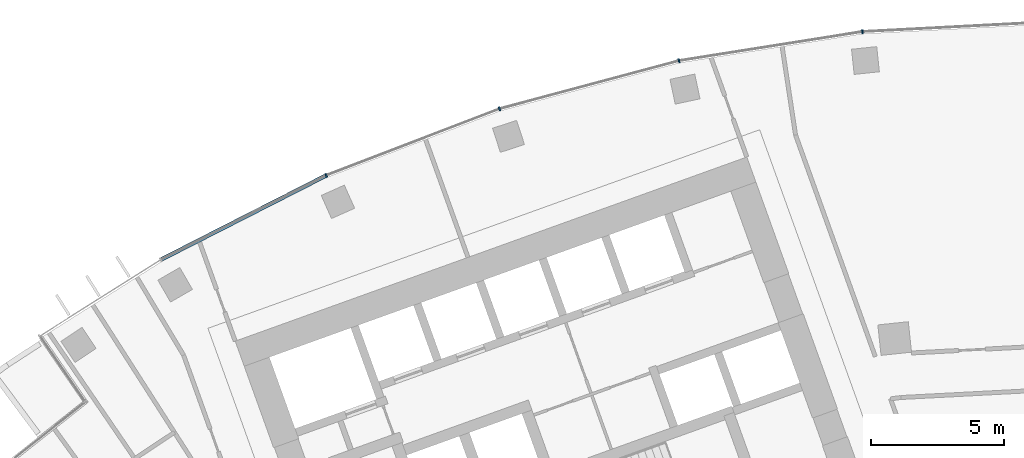
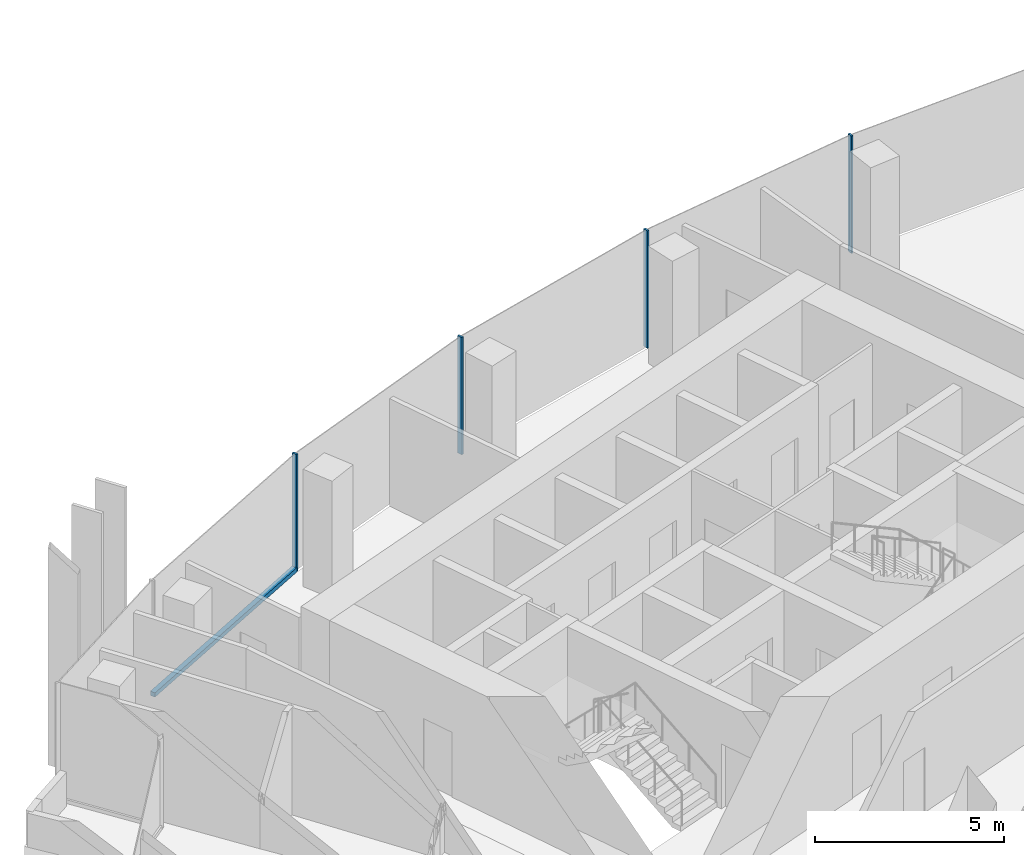
# One storey, part 5 of 19: 5 members, 1 element without a shape of its own.
"""IFC4 building model written with IfcOpenShell, lengths in metres."""

from ifc_helpers import new_model, si_unit, direction, frame, origin, origin_2d, place, context, subcontext, project, spatial, rectangle, extrude, material, layer, layer_set, material_profile, profile_set, type_object, element, aggregate, save


model = new_model("IFC4")

# Units and contexts
model_context = context("Model", 3, precision=1e-05, world=origin(), true_north=direction((0.0, 1.0)))
body_context = subcontext(model_context, "Body", "Model", "MODEL_VIEW")
ifc_project = project(units=[si_unit("LENGTHUNIT", "METRE"), si_unit("AREAUNIT", "SQUARE_METRE"), si_unit("VOLUMEUNIT", "CUBIC_METRE"), si_unit("PLANEANGLEUNIT", "RADIAN"), si_unit("MASSUNIT", "GRAM", prefix="KILO")], contexts=[model_context])

# Site, building, storey
site_placement = place(None, origin())
site = spatial("IfcSite", under=ifc_project, at=site_placement, CompositionType="ELEMENT")
building_placement = place(site_placement, origin())
building = spatial("IfcBuilding", under=site, at=building_placement, Name="Stone Belt Terrace Tower", CompositionType="ELEMENT")
storey_placement = place(building_placement, frame((0.0, 0.0, 227.60009765625)))
storey = spatial("IfcBuildingStorey", under=building, at=storey_placement, Name="L55", CompositionType="ELEMENT", Elevation=227.60009765625)

# Curtain wall, members
ifc_material = material(Name="Aluminium 6063-T6 anodised frame", Category="aluminium")
ifc_layer = layer(ifc_material, 0.14990234375)
ifc_layer_set = layer_set([ifc_layer], Name="CW-A unitised convex-face curtain wall")
curtain_wall_type = type_object("IfcCurtainWallType", Name="CW-A unitised convex-face curtain wall", PredefinedType="NOTDEFINED", material=ifc_layer_set)
curtain_wall_placement = place(storey_placement, origin())
curtain_wall = element("IfcCurtainWall", 1, at=curtain_wall_placement, inside=storey, type_object=curtain_wall_type, Name="CW-A convex face L55", PredefinedType="NOTDEFINED")
ifc_material_profile_1 = material_profile(ifc_material, rectangle(XDim=0.14990234375, YDim=0.06005859375, at=origin_2d()), Name="Aluminium 6063-T6 60x150")
ifc_profile_set_1 = profile_set([ifc_material_profile_1], Name="Aluminium 6063-T6 anodised frame")
member_type_1 = type_object("IfcMemberType", Name="CW-A mullion 60 x 150", PredefinedType="MULLION", material=ifc_profile_set_1)
member_1_placement = place(storey_placement, frame((-6.958984375, 66.21044921875, 0.0), z_axis=(0.0, 0.0, 1.0), x_axis=(0.104528463268, -0.994521895368, 0.0)))
member_1 = element("IfcMember", 2, at=member_1_placement, type_object=member_type_1, Name="CW-A mullion 10", PredefinedType="MULLION", context=body_context, shape_type="SweptSolid", body=[
    extrude(rectangle(XDim=0.14990234375, YDim=0.06005859375, at=origin_2d()), origin(), (0.0, 0.0, 1.0), 3.7998046875),
])
member_2_placement = place(storey_placement, frame((-13.841796875, 65.120361328125, 0.0), z_axis=(0.0, 0.0, 1.0), x_axis=(0.207911690818, -0.978147600734, 0.0)))
member_2 = element("IfcMember", 3, at=member_2_placement, type_object=member_type_1, Name="CW-A mullion 11", PredefinedType="MULLION", context=body_context, shape_type="SweptSolid", body=[
    extrude(rectangle(XDim=0.14990234375, YDim=0.06005859375, at=origin_2d()), origin(), (0.0, 0.0, 1.0), 3.7998046875),
])
member_3_placement = place(storey_placement, frame((-20.57275390625, 63.316650390625, 0.0), z_axis=(0.0, 0.0, 1.0), x_axis=(0.309016994375, -0.951056516295, 0.0)))
member_3 = element("IfcMember", 4, at=member_3_placement, type_object=member_type_1, Name="CW-A mullion 12", PredefinedType="MULLION", context=body_context, shape_type="SweptSolid", body=[
    extrude(rectangle(XDim=0.14990234375, YDim=0.06005859375, at=origin_2d()), origin(), (0.0, 0.0, 1.0), 3.7998046875),
])
member_4_placement = place(storey_placement, frame((-27.07861328125, 60.8193359375, 0.0), z_axis=(0.0, 0.0, 1.0), x_axis=(0.406736643076, -0.913545457643, 0.0)))
member_4 = element("IfcMember", 5, at=member_4_placement, type_object=member_type_1, Name="CW-A mullion 13", PredefinedType="MULLION", context=body_context, shape_type="SweptSolid", body=[
    extrude(rectangle(XDim=0.14990234375, YDim=0.06005859375, at=origin_2d()), origin(), (0.0, 0.0, 1.0), 3.7998046875),
])
ifc_material_profile_2 = material_profile(ifc_material, rectangle(XDim=0.14990234375, YDim=0.139892578125, at=origin_2d()), Name="Aluminium 6063-T6 150x140")
ifc_profile_set_2 = profile_set([ifc_material_profile_2], Name="Aluminium 6063-T6 anodised frame")
member_type_2 = type_object("IfcMemberType", Name="CW-A transom 140 x 150", PredefinedType="USERDEFINED", material=ifc_profile_set_2)
member_5_placement = place(storey_placement, frame((-27.108642578125, 60.803955078125, 0.06982421875), z_axis=(-0.891012226264, -0.453979308613, 0.0), x_axis=(0.453979308613, -0.891012226264, 0.0)))
member_5 = element("IfcMember", 6, at=member_5_placement, type_object=member_type_2, Name="CW-A transom 13.1", ObjectType="TRANSOM", PredefinedType="USERDEFINED", context=body_context, shape_type="SweptSolid", body=[
    extrude(rectangle(XDim=0.14990234375, YDim=0.139892578125, at=origin_2d()), origin(), (0.0, 0.0, 1.0), 6.90087890625),
])
aggregate(curtain_wall, [member_1, member_2, member_3, member_4, member_5])

save(model, "model.ifc")
